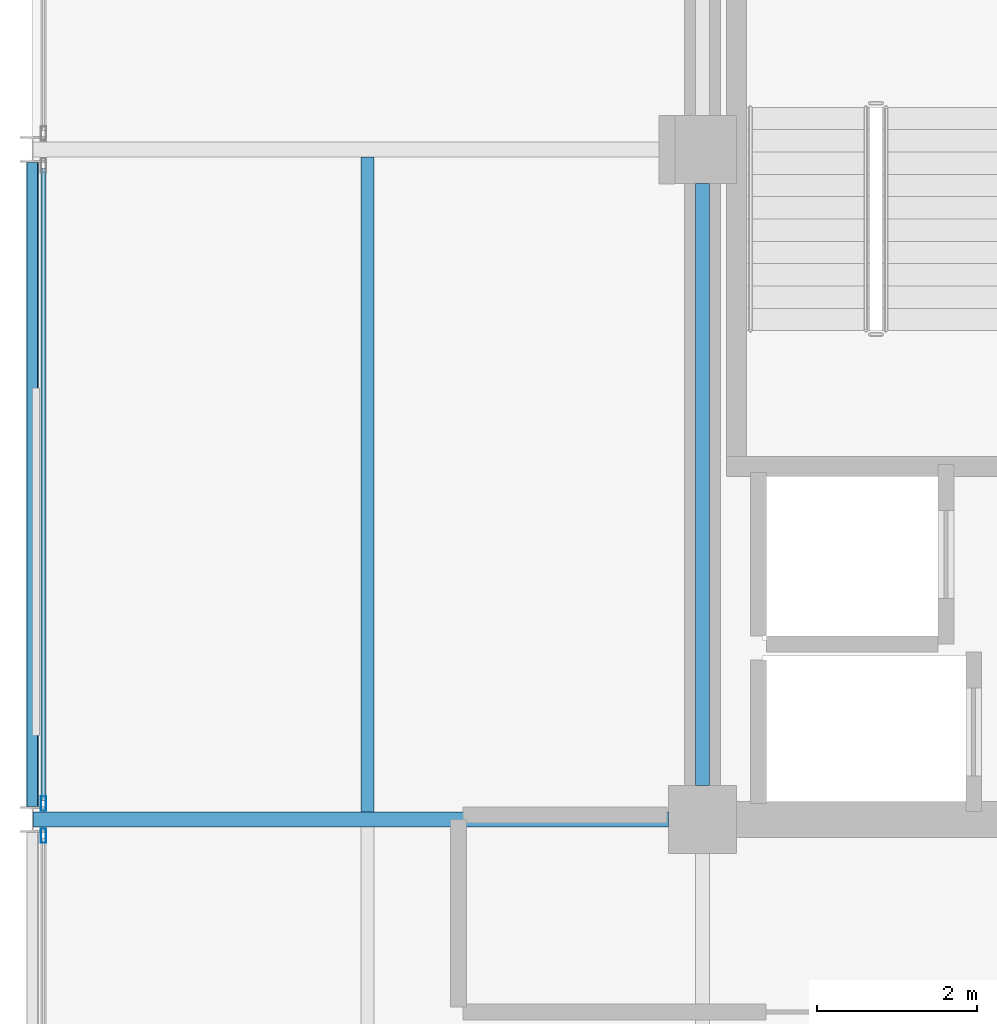
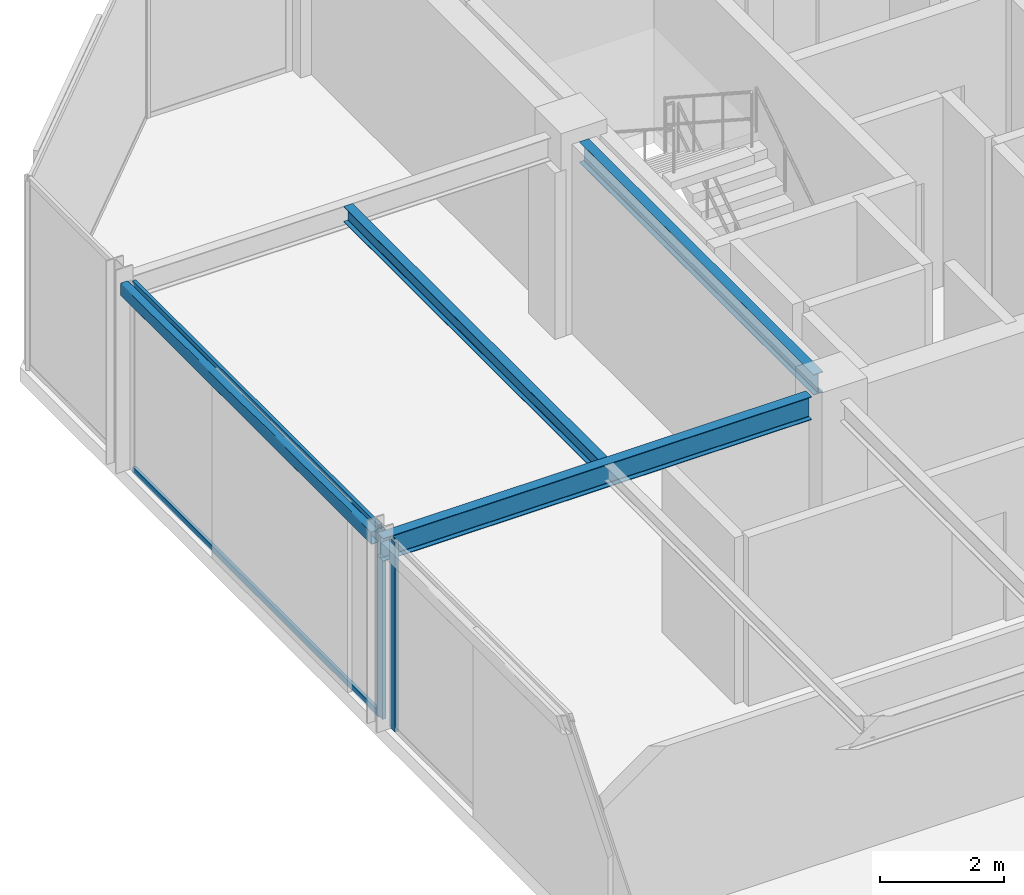
# One storey, part 11 of 26: 4 beams, 4 members, 2 elements without a shape of their own.
"""IFC4 building model written with IfcOpenShell, lengths in metres."""

from ifc_helpers import new_model, si_unit, direction, frame, origin, origin_2d, place, context, subcontext, project, spatial, hollow_rectangle, i_section, extrude, material, layer, layer_set, material_profile, profile_set, type_object, element, aggregate, save


model = new_model("IFC4")

# Units and contexts
model_context = context("Model", 3, precision=1e-05, world=origin(), true_north=direction((0.0, 1.0)))
body_context = subcontext(model_context, "Body", "Model", "MODEL_VIEW")
ifc_project = project(units=[si_unit("LENGTHUNIT", "METRE"), si_unit("AREAUNIT", "SQUARE_METRE"), si_unit("VOLUMEUNIT", "CUBIC_METRE"), si_unit("PLANEANGLEUNIT", "RADIAN"), si_unit("MASSUNIT", "GRAM", prefix="KILO")], contexts=[model_context])

# Site, building, storey
site_placement = place(None, origin())
site = spatial("IfcSite", under=ifc_project, at=site_placement, CompositionType="ELEMENT")
building_placement = place(site_placement, origin())
building = spatial("IfcBuilding", under=site, at=building_placement, Name="Nerrivon Quay Data Exchange", CompositionType="ELEMENT")
storey_placement = place(building_placement, frame((0.0, 0.0, 258.199951171875)))
storey = spatial("IfcBuildingStorey", under=building, at=storey_placement, Name="L61", CompositionType="ELEMENT", Elevation=258.199951171875)

# Beams
ifc_material_1 = material(Name="Steel Grade 350", Category="steel")
ifc_material_profile_1 = material_profile(ifc_material_1, i_section(OverallWidth=0.18994140625, OverallDepth=0.4541015625, WebThickness=0.008544921875, FlangeThickness=0.0126953125, FilletRadius=0.011474609375, at=origin_2d()), Name="460UB67.1")
ifc_profile_set_1 = profile_set([ifc_material_profile_1], Name="Steel Grade 350")
beam_type_1 = type_object("IfcBeamType", Name="BM-G6-460UB67", PredefinedType="BEAM", material=ifc_profile_set_1)
beam_1_placement = place(storey_placement, frame((0.0078125, 25.199951171875, 3.498046875), z_axis=(1.0, 0.0, 0.0), x_axis=(0.0, 1.0, 0.0)))
element("IfcBeam", 1, at=beam_1_placement, inside=storey, type_object=beam_type_1, Name="L61 EW Girder Y=25.2 (0.0..8.4)", PredefinedType="BEAM", context=body_context, shape_type="SweptSolid", body=[
    extrude(i_section(OverallWidth=0.18994140625, OverallDepth=0.4541015625, WebThickness=0.008544921875, FlangeThickness=0.0126953125, FilletRadius=0.011474609375, at=origin_2d()), origin(), (0.0, 0.0, 1.0), 7.96728515625),
])
ifc_material_profile_2 = material_profile(ifc_material_1, i_section(OverallWidth=0.177978515625, OverallDepth=0.406005859375, WebThickness=0.0078125, FlangeThickness=0.0126953125, FilletRadius=0.011474609375, at=origin_2d()), Name="410UB59.7")
ifc_profile_set_2 = profile_set([ifc_material_profile_2], Name="Steel Grade 350")
beam_type_2 = type_object("IfcBeamType", Name="BM-J1-410UB60", PredefinedType="JOIST", material=ifc_profile_set_2)
beam_2_placement = place(storey_placement, frame((8.39990234375, 25.625, 3.52197265625), z_axis=(0.0, 1.0, 0.0), x_axis=(-1.0, 0.0, 0.0)))
element("IfcBeam", 2, at=beam_2_placement, inside=storey, type_object=beam_type_2, Name="L61 NS Girder X=8.4 (25.2..33.6)", PredefinedType="JOIST", context=body_context, shape_type="SweptSolid", body=[
    extrude(i_section(OverallWidth=0.177978515625, OverallDepth=0.406005859375, WebThickness=0.0078125, FlangeThickness=0.0126953125, FilletRadius=0.011474609375, at=origin_2d()), origin(), (0.0, 0.0, 1.0), 7.550048828125),
])
ifc_material_profile_3 = material_profile(ifc_material_1, i_section(OverallWidth=0.1650390625, OverallDepth=0.303955078125, WebThickness=0.006103515625, FlangeThickness=0.01025390625, FilletRadius=0.011474609375, at=origin_2d()), Name="310UB40.4")
ifc_profile_set_3 = profile_set([ifc_material_profile_3], Name="Steel Grade 350")
beam_type_3 = type_object("IfcBeamType", Name="BM-J6-310UB40", PredefinedType="JOIST", material=ifc_profile_set_3)
beam_3_placement = place(storey_placement, frame((4.199951171875, 25.294921875, 3.572998046875), z_axis=(0.0, 1.0, 0.0), x_axis=(-1.0, 0.0, 0.0)))
element("IfcBeam", 3, at=beam_3_placement, inside=storey, type_object=beam_type_3, Name="L61 Secondary Joist X=4.2 (25.2..33.6)", PredefinedType="JOIST", context=body_context, shape_type="SweptSolid", body=[
    extrude(i_section(OverallWidth=0.1650390625, OverallDepth=0.303955078125, WebThickness=0.006103515625, FlangeThickness=0.01025390625, FilletRadius=0.011474609375, at=origin_2d()), origin(), (0.0, 0.0, 1.0), 8.2099609375),
])
ifc_material_2 = material(Name="Steel Grade C350L0 (350 MPa)", Category="steel")
ifc_material_profile_4 = material_profile(ifc_material_2, hollow_rectangle(XDim=0.14990234375, YDim=0.25, WallThickness=0.009033203125, InnerFilletRadius=0.013427734375, OuterFilletRadius=0.0224609375, at=origin_2d()), Name="250x150x9.0RHS")
ifc_profile_set_4 = profile_set([ifc_material_profile_4], Name="Steel Grade C350L0 (350 MPa)")
beam_type_4 = type_object("IfcBeamType", Name="BM-SP4-250x150RHS", PredefinedType="SPANDREL", material=ifc_profile_set_4)
beam_4_placement = place(storey_placement, frame((0.0, 25.363525390625, 3.60009765625), z_axis=(0.0, 1.0, 0.0), x_axis=(-1.0, 0.0, 0.0)))
element("IfcBeam", 4, at=beam_4_placement, inside=storey, type_object=beam_type_4, Name="L61 NS Girder X=0.0 (25.2..33.6)", PredefinedType="SPANDREL", context=body_context, shape_type="SweptSolid", body=[
    extrude(hollow_rectangle(XDim=0.14990234375, YDim=0.25, WallThickness=0.009033203125, InnerFilletRadius=0.013427734375, OuterFilletRadius=0.0224609375, at=origin_2d()), origin(), (0.0, 0.0, 1.0), 8.072998046875),
])

# Curtain wall, member
ifc_material_3 = material(Name="Anodised aluminium 6063-T6", Category="aluminium")
ifc_layer = layer(ifc_material_3, 0.195068359375)
ifc_layer_set = layer_set([ifc_layer], Name="Anodised aluminium 6063-T6")
curtain_wall_type = type_object("IfcCurtainWallType", Name="CW-SYS-06", PredefinedType="NOTDEFINED", material=ifc_layer_set)
curtain_wall_1_placement = place(storey_placement, origin())
curtain_wall_1 = element("IfcCurtainWall", 5, at=curtain_wall_1_placement, inside=storey, type_object=curtain_wall_type, Name="L61 Unitised Curtain Wall 13", PredefinedType="NOTDEFINED")
ifc_material_profile_5 = material_profile(ifc_material_3, hollow_rectangle(XDim=0.06494140625, YDim=0.179931640625, WallThickness=0.00341796875, at=origin_2d()), Name="ALU-MULL-180x65")
ifc_profile_set_5 = profile_set([ifc_material_profile_5], Name="Anodised aluminium 6063-T6")
member_type_1 = type_object("IfcMemberType", Name="CWM-180x65", PredefinedType="MULLION", material=ifc_profile_set_5)
member_1_placement = place(storey_placement, frame((0.139892578125, 24.9990234375, 0.0), z_axis=(0.0, 0.0, 1.0), x_axis=(-1.0, 0.0, 0.0)))
member_1 = element("IfcMember", 6, at=member_1_placement, type_object=member_type_1, Name="CW06 mullion 2", PredefinedType="MULLION", context=body_context, shape_type="SweptSolid", body=[
    extrude(hollow_rectangle(XDim=0.06494140625, YDim=0.179931640625, WallThickness=0.00341796875, at=origin_2d()), origin(), (0.0, 0.0, 1.0), 3.72509765625),
])
aggregate(curtain_wall_1, [member_1])

# Curtain wall, members
curtain_wall_2_placement = place(storey_placement, origin())
curtain_wall_2 = element("IfcCurtainWall", 7, at=curtain_wall_2_placement, inside=storey, type_object=curtain_wall_type, Name="L61 Unitised Curtain Wall 14", PredefinedType="NOTDEFINED")
member_2_placement = place(storey_placement, frame((0.139892578125, 25.40087890625, 0.0), z_axis=(0.0, 0.0, 1.0), x_axis=(-1.0, 0.0, 0.0)))
member_2 = element("IfcMember", 8, at=member_2_placement, type_object=member_type_1, Name="CW06 mullion 1", PredefinedType="MULLION", context=body_context, shape_type="SweptSolid", body=[
    extrude(hollow_rectangle(XDim=0.06494140625, YDim=0.179931640625, WallThickness=0.00341796875, at=origin_2d()), origin(), (0.0, 0.0, 1.0), 3.72509765625),
])
ifc_material_profile_6 = material_profile(ifc_material_3, hollow_rectangle(XDim=0.06005859375, YDim=0.1201171875, WallThickness=0.003173828125, at=origin_2d()), Name="ALU-TRAN-120x60")
ifc_profile_set_6 = profile_set([ifc_material_profile_6], Name="Anodised aluminium 6063-T6")
member_type_2 = type_object("IfcMemberType", Name="CWT-120x60", PredefinedType="USERDEFINED", material=ifc_profile_set_6)
member_3_placement = place(storey_placement, frame((0.139892578125, 25.4384765625, 0.032470703125), z_axis=(0.0, 1.0, 0.0), x_axis=(-1.0, 0.0, 0.0)))
member_3 = element("IfcMember", 9, at=member_3_placement, type_object=member_type_2, Name="CW06 transom 1.1", ObjectType="TRANSOM", PredefinedType="USERDEFINED", context=body_context, shape_type="SweptSolid", body=[
    extrude(hollow_rectangle(XDim=0.06005859375, YDim=0.1201171875, WallThickness=0.003173828125, at=origin_2d()), origin(), (0.0, 0.0, 1.0), 7.923095703125),
])
member_4_placement = place(storey_placement, frame((0.139892578125, 25.4384765625, 3.692626953125), z_axis=(0.0, 1.0, 0.0), x_axis=(-1.0, 0.0, 0.0)))
member_4 = element("IfcMember", 10, at=member_4_placement, type_object=member_type_2, Name="CW06 transom 1.2", ObjectType="TRANSOM", PredefinedType="USERDEFINED", context=body_context, shape_type="SweptSolid", body=[
    extrude(hollow_rectangle(XDim=0.06005859375, YDim=0.1201171875, WallThickness=0.003173828125, at=origin_2d()), origin(), (0.0, 0.0, 1.0), 7.923095703125),
])
aggregate(curtain_wall_2, [member_2, member_3, member_4])

save(model, "model.ifc")
